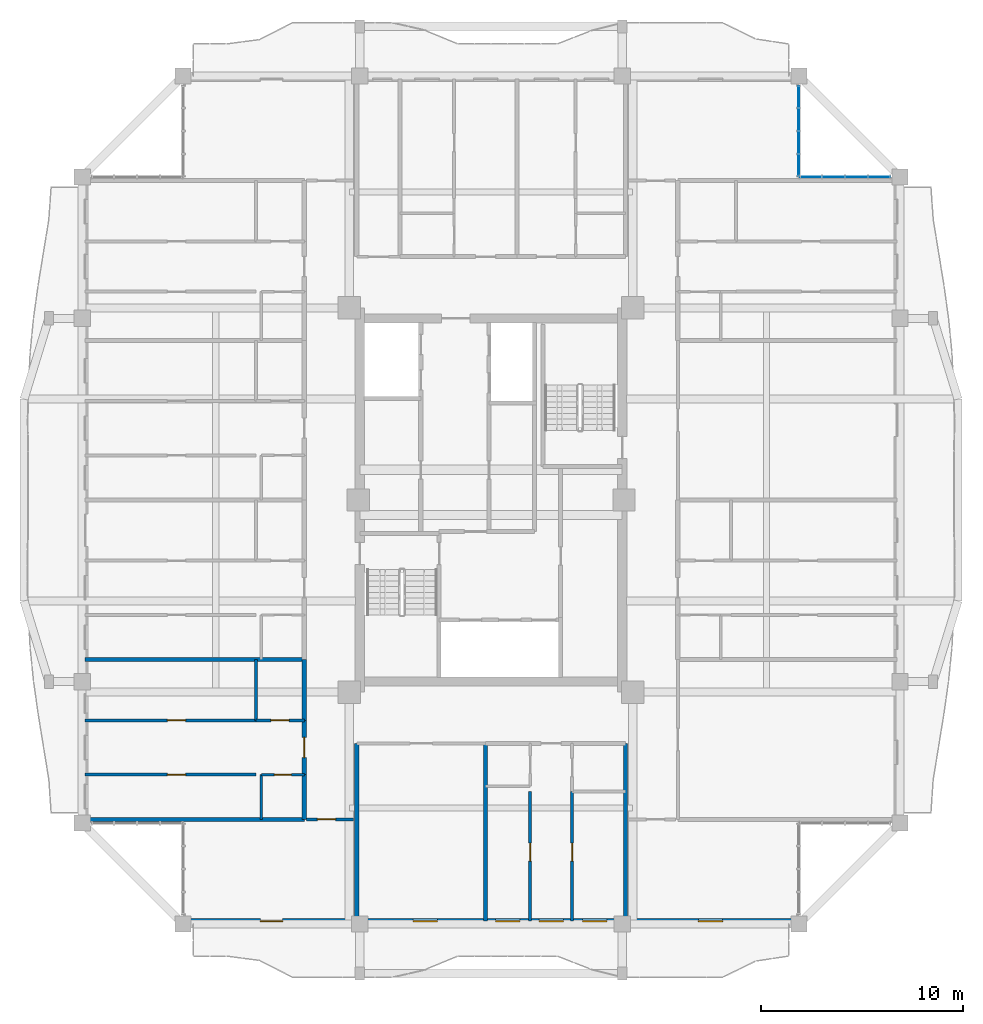
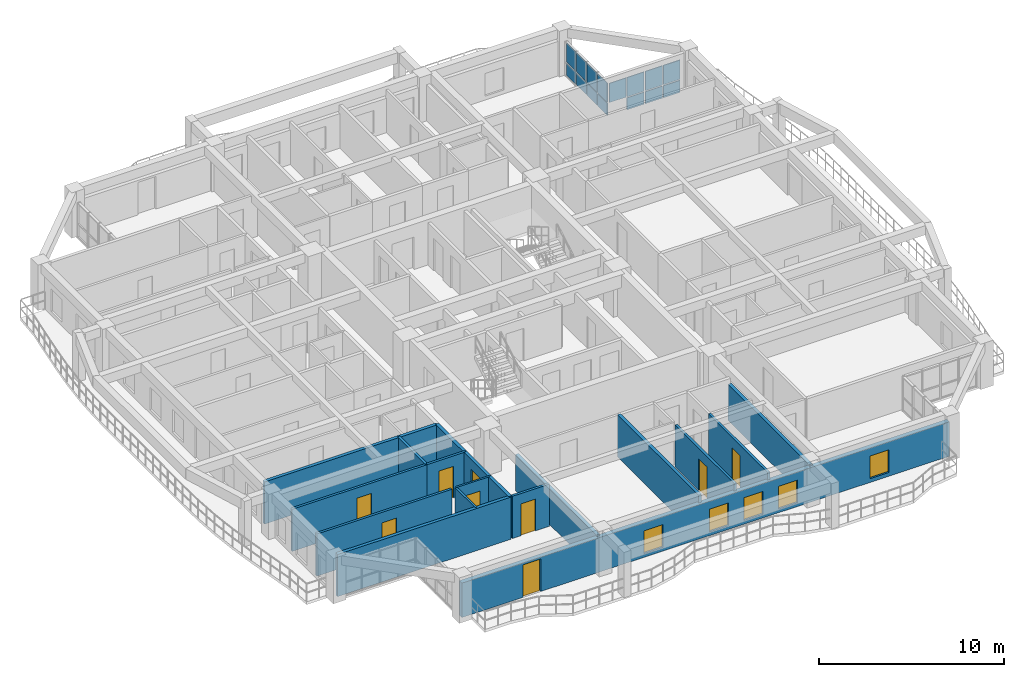
# One storey, part 10 of 21: 18 walls, 15 plates, 9 doors, 5 windows, 14 openings, 2 elements without a shape of their own.
"""IFC4 building model written with IfcOpenShell, lengths in metres."""

from ifc_helpers import new_model, si_unit, direction, frame, frame_2d, origin, origin_2d, place, context, subcontext, project, spatial, rectangle, extrude, source, transform, mapped, material, layer, layer_set, type_object, element, fill, aggregate, save


model = new_model("IFC4")

# Units and contexts
model_context = context("Model", 3, precision=1e-05, world=origin(), true_north=direction((0.0, 1.0)))
body_context = subcontext(model_context, "Body", "Model", "MODEL_VIEW")
ifc_project = project(units=[si_unit("LENGTHUNIT", "METRE"), si_unit("AREAUNIT", "SQUARE_METRE"), si_unit("VOLUMEUNIT", "CUBIC_METRE"), si_unit("PLANEANGLEUNIT", "RADIAN"), si_unit("MASSUNIT", "GRAM", prefix="KILO")], contexts=[model_context])

# Site, building, storey
site_placement = place(None, origin())
site = spatial("IfcSite", under=ifc_project, at=site_placement, CompositionType="ELEMENT")
building_placement = place(site_placement, origin())
building = spatial("IfcBuilding", under=site, at=building_placement, Name="Saelheon Loggia Tower", CompositionType="ELEMENT")
storey_placement = place(building_placement, frame((0.0, 0.0, 186.699951171875)))
storey = spatial("IfcBuildingStorey", under=building, at=storey_placement, Name="L58", CompositionType="ELEMENT", Elevation=186.699951171875)

# Curtain wall, plates
ifc_material_1 = material(Name="High-Wind Aluminium and Triple Laminated Glass", Category="aluminium")
ifc_layer_1 = layer(ifc_material_1, 0.179931640625)
ifc_layer_set_1 = layer_set([ifc_layer_1], Name="High-Wind Aluminium and Triple Laminated Glass")
curtain_wall_type = type_object("IfcCurtainWallType", Name="CW_TowerLoggiaHigh", PredefinedType="NOTDEFINED", material=ifc_layer_set_1)
curtain_wall_1_placement = place(storey_placement, origin())
curtain_wall_1 = element("IfcCurtainWall", 1, at=curtain_wall_1_placement, inside=storey, type_object=curtain_wall_type, Name="L58 Corner Notch Glazing NE1", PredefinedType="NOTDEFINED")
ifc_material_2 = material(Name="Triple Low-E Laminated Glazing", Category="glass")
ifc_layer_2 = layer(ifc_material_2, 0.0439453125)
ifc_layer_set_2 = layer_set([ifc_layer_2], Name="Triple Low-E Laminated Glazing")
plate_type = type_object("IfcPlateType", Name="CW_TowerLoggiaHigh_Panel", PredefinedType="CURTAIN_PANEL", material=ifc_layer_set_2)
shared_shape_1 = source(origin(), body_context, "Body", "SweptSolid", [
    extrude(rectangle(XDim=1.034912109375, YDim=0.0439453125, at=origin_2d()), origin(), (0.0, 0.0, 1.0), 0.794921875),
])
plate_1_placement = place(storey_placement, frame((53.25, 43.58740234375, 0.070068359375), z_axis=(0.0, 0.0, 1.0), x_axis=(0.0, 1.0, 0.0)))
plate_1 = element("IfcPlate", 2, at=plate_1_placement, type_object=plate_type, Name="CW4 panel 1.1", PredefinedType="CURTAIN_PANEL", context=body_context, shape_type="MappedRepresentation", body=[
    mapped(shared_shape_1, transform((0.0, 0.0, 0.0), scale=1.0)),
])
plate_2_placement = place(storey_placement, frame((53.25, 46.972412109375, 0.070068359375), z_axis=(0.0, 0.0, 1.0), x_axis=(0.0, 1.0, 0.0)))
plate_2 = element("IfcPlate", 3, at=plate_2_placement, type_object=plate_type, Name="CW4 panel 4.1", PredefinedType="CURTAIN_PANEL", context=body_context, shape_type="MappedRepresentation", body=[
    mapped(shared_shape_1, transform((0.0, 0.0, 0.0), scale=1.0)),
])

# Curtain wall, plate
curtain_wall_2_placement = place(storey_placement, origin())
curtain_wall_2 = element("IfcCurtainWall", 4, at=curtain_wall_2_placement, inside=storey, type_object=curtain_wall_type, Name="L58 Corner Notch Glazing NE2", PredefinedType="NOTDEFINED")
plate_3_placement = place(storey_placement, frame((57.222412109375, 43.0, 0.070068359375), z_axis=(0.0, 0.0, 1.0), x_axis=(1.0, 0.0, 0.0)))
plate_3 = element("IfcPlate", 5, at=plate_3_placement, type_object=plate_type, Name="CW4 panel 4.1", PredefinedType="CURTAIN_PANEL", context=body_context, shape_type="MappedRepresentation", body=[
    mapped(shared_shape_1, transform((0.0, 0.0, 0.0), scale=1.0)),
])

# Plate
shared_shape_2 = source(origin(), body_context, "Body", "SweptSolid", [
    extrude(rectangle(XDim=1.034912109375, YDim=0.0439453125, at=origin_2d()), origin(), (0.0, 0.0, 1.0), 1.27490234375),
])
plate_4_placement = place(storey_placement, frame((53.25, 43.58740234375, 0.93505859375), z_axis=(0.0, 0.0, 1.0), x_axis=(0.0, 1.0, 0.0)))
plate_4 = element("IfcPlate", 6, at=plate_4_placement, type_object=plate_type, Name="CW4 panel 1.2", PredefinedType="CURTAIN_PANEL", context=body_context, shape_type="MappedRepresentation", body=[
    mapped(shared_shape_2, transform((0.0, 0.0, 0.0), scale=1.0)),
])

plate_5_placement = place(storey_placement, frame((53.25, 46.972412109375, 0.93505859375), z_axis=(0.0, 0.0, 1.0), x_axis=(0.0, 1.0, 0.0)))
plate_5 = element("IfcPlate", 7, at=plate_5_placement, type_object=plate_type, Name="CW4 panel 4.2", PredefinedType="CURTAIN_PANEL", context=body_context, shape_type="MappedRepresentation", body=[
    mapped(shared_shape_2, transform((0.0, 0.0, 0.0), scale=1.0)),
])

plate_6_placement = place(storey_placement, frame((53.83740234375, 43.0, 0.93505859375), z_axis=(0.0, 0.0, 1.0), x_axis=(1.0, 0.0, 0.0)))
plate_6 = element("IfcPlate", 8, at=plate_6_placement, type_object=plate_type, Name="CW4 panel 1.2", PredefinedType="CURTAIN_PANEL", context=body_context, shape_type="MappedRepresentation", body=[
    mapped(shared_shape_2, transform((0.0, 0.0, 0.0), scale=1.0)),
])

plate_7_placement = place(storey_placement, frame((57.222412109375, 43.0, 0.93505859375), z_axis=(0.0, 0.0, 1.0), x_axis=(1.0, 0.0, 0.0)))
plate_7 = element("IfcPlate", 9, at=plate_7_placement, type_object=plate_type, Name="CW4 panel 4.2", PredefinedType="CURTAIN_PANEL", context=body_context, shape_type="MappedRepresentation", body=[
    mapped(shared_shape_2, transform((0.0, 0.0, 0.0), scale=1.0)),
])

shared_shape_3 = source(origin(), body_context, "Body", "SweptSolid", [
    extrude(rectangle(XDim=1.070068359375, YDim=0.0439453125, at=origin_2d()), origin(), (0.0, 0.0, 1.0), 0.794921875),
])
plate_8_placement = place(storey_placement, frame((53.25, 44.7099609375, 0.070068359375), z_axis=(0.0, 0.0, 1.0), x_axis=(0.0, 1.0, 0.0)))
plate_8 = element("IfcPlate", 10, at=plate_8_placement, type_object=plate_type, Name="CW4 panel 2.1", PredefinedType="CURTAIN_PANEL", context=body_context, shape_type="MappedRepresentation", body=[
    mapped(shared_shape_3, transform((0.0, 0.0, 0.0), scale=1.0)),
])

plate_9_placement = place(storey_placement, frame((53.25, 45.85009765625, 0.070068359375), z_axis=(0.0, 0.0, 1.0), x_axis=(0.0, 1.0, 0.0)))
plate_9 = element("IfcPlate", 11, at=plate_9_placement, type_object=plate_type, Name="CW4 panel 3.1", PredefinedType="CURTAIN_PANEL", context=body_context, shape_type="MappedRepresentation", body=[
    mapped(shared_shape_3, transform((0.0, 0.0, 0.0), scale=1.0)),
])

plate_10_placement = place(storey_placement, frame((54.9599609375, 43.0, 0.070068359375), z_axis=(0.0, 0.0, 1.0), x_axis=(1.0, 0.0, 0.0)))
plate_10 = element("IfcPlate", 12, at=plate_10_placement, type_object=plate_type, Name="CW4 panel 2.1", PredefinedType="CURTAIN_PANEL", context=body_context, shape_type="MappedRepresentation", body=[
    mapped(shared_shape_3, transform((0.0, 0.0, 0.0), scale=1.0)),
])

plate_11_placement = place(storey_placement, frame((56.10009765625, 43.0, 0.070068359375), z_axis=(0.0, 0.0, 1.0), x_axis=(1.0, 0.0, 0.0)))
plate_11 = element("IfcPlate", 13, at=plate_11_placement, type_object=plate_type, Name="CW4 panel 3.1", PredefinedType="CURTAIN_PANEL", context=body_context, shape_type="MappedRepresentation", body=[
    mapped(shared_shape_3, transform((0.0, 0.0, 0.0), scale=1.0)),
])

shared_shape_4 = source(origin(), body_context, "Body", "SweptSolid", [
    extrude(rectangle(XDim=1.070068359375, YDim=0.0439453125, at=origin_2d()), origin(), (0.0, 0.0, 1.0), 1.27490234375),
])
plate_12_placement = place(storey_placement, frame((53.25, 44.7099609375, 0.93505859375), z_axis=(0.0, 0.0, 1.0), x_axis=(0.0, 1.0, 0.0)))
plate_12 = element("IfcPlate", 14, at=plate_12_placement, type_object=plate_type, Name="CW4 panel 2.2", PredefinedType="CURTAIN_PANEL", context=body_context, shape_type="MappedRepresentation", body=[
    mapped(shared_shape_4, transform((0.0, 0.0, 0.0), scale=1.0)),
])

plate_13_placement = place(storey_placement, frame((53.25, 45.85009765625, 0.93505859375), z_axis=(0.0, 0.0, 1.0), x_axis=(0.0, 1.0, 0.0)))
plate_13 = element("IfcPlate", 15, at=plate_13_placement, type_object=plate_type, Name="CW4 panel 3.2", PredefinedType="CURTAIN_PANEL", context=body_context, shape_type="MappedRepresentation", body=[
    mapped(shared_shape_4, transform((0.0, 0.0, 0.0), scale=1.0)),
])

aggregate(curtain_wall_1, [plate_1, plate_4, plate_8, plate_12, plate_9, plate_13, plate_2, plate_5])

plate_14_placement = place(storey_placement, frame((54.9599609375, 43.0, 0.93505859375), z_axis=(0.0, 0.0, 1.0), x_axis=(1.0, 0.0, 0.0)))
plate_14 = element("IfcPlate", 16, at=plate_14_placement, type_object=plate_type, Name="CW4 panel 2.2", PredefinedType="CURTAIN_PANEL", context=body_context, shape_type="MappedRepresentation", body=[
    mapped(shared_shape_4, transform((0.0, 0.0, 0.0), scale=1.0)),
])

plate_15_placement = place(storey_placement, frame((56.10009765625, 43.0, 0.93505859375), z_axis=(0.0, 0.0, 1.0), x_axis=(1.0, 0.0, 0.0)))
plate_15 = element("IfcPlate", 17, at=plate_15_placement, type_object=plate_type, Name="CW4 panel 3.2", PredefinedType="CURTAIN_PANEL", context=body_context, shape_type="MappedRepresentation", body=[
    mapped(shared_shape_4, transform((0.0, 0.0, 0.0), scale=1.0)),
])

aggregate(curtain_wall_2, [plate_6, plate_10, plate_14, plate_11, plate_15, plate_3, plate_7])

# Wall, openings, windows, door
ifc_material_3 = material(Name="Architectural Precast Concrete C40/50", Category="concrete")
ifc_layer_3 = layer(ifc_material_3, 0.280029296875)
ifc_layer_set_3 = layer_set([ifc_layer_3], Name="Architectural Precast Concrete C40/50")
wall_type_1 = type_object("IfcWallType", Name="Wall_Ext_Loggia_280", PredefinedType="SOLIDWALL", material=ifc_layer_set_3)
wall_1_placement = place(storey_placement, frame((22.75, 6.139892578125, 0.0), z_axis=(0.0, 0.0, 1.0), x_axis=(1.0, 0.0, 0.0)))
wall_1 = element("IfcWall", 18, at=wall_1_placement, inside=storey, type_object=wall_type_1, Name="L58 South Loggia Inner Wall", PredefinedType="SOLIDWALL", context=body_context, shape_type="SweptSolid", body=[
    extrude(rectangle(XDim=30.5, YDim=0.280029296875, at=frame_2d((15.25, 0.0))), origin(), (0.0, 0.0, 1.0), 2.280029296875),
])
opening_1_placement = place(wall_1_placement, frame((4.925048828125, 0.0, 0.0), z_axis=(0.0, 0.0, 1.0), x_axis=(-1.0, 0.0, 0.0)))
opening_1 = element("IfcOpeningElement", 19, at=opening_1_placement, cuts=wall_1, Name="Opening TD1", PredefinedType="OPENING", context=body_context, shape_type="SweptSolid", body=[
    extrude(rectangle(XDim=1.10009765625, YDim=2.14990234375, at=frame_2d((0.550048828125, 1.074951171875))), frame((0.0, 0.152099609375, 0.0), z_axis=(0.0, -1.0, 0.0), x_axis=(1.0, 0.0, 0.0)), (0.0, 0.0, 1.0), 0.303955078125),
])
opening_2_placement = place(wall_1_placement, frame((11.386962890625, 0.0, 0.25)))
opening_2 = element("IfcOpeningElement", 20, at=opening_2_placement, cuts=wall_1, Name="Opening WN-03", PredefinedType="OPENING", context=body_context, shape_type="SweptSolid", body=[
    extrude(rectangle(XDim=1.199951171875, YDim=1.5, at=frame_2d((0.60009765625, 0.75))), frame((0.0, 0.152099609375, 0.0), z_axis=(0.0, -1.0, 0.0), x_axis=(1.0, 0.0, 0.0)), (0.0, 0.0, 1.0), 0.303955078125),
])
opening_3_placement = place(wall_1_placement, frame((15.48388671875, 0.0, 0.25)))
opening_3 = element("IfcOpeningElement", 21, at=opening_3_placement, cuts=wall_1, Name="Opening WN-03", PredefinedType="OPENING", context=body_context, shape_type="SweptSolid", body=[
    extrude(rectangle(XDim=1.199951171875, YDim=1.5, at=frame_2d((0.60009765625, 0.75))), frame((0.0, 0.152099609375, 0.0), z_axis=(0.0, -1.0, 0.0), x_axis=(1.0, 0.0, 0.0)), (0.0, 0.0, 1.0), 0.303955078125),
])
opening_4_placement = place(wall_1_placement, frame((17.6279296875, 0.0, 0.25)))
opening_4 = element("IfcOpeningElement", 22, at=opening_4_placement, cuts=wall_1, Name="Opening WN-03", PredefinedType="OPENING", context=body_context, shape_type="SweptSolid", body=[
    extrude(rectangle(XDim=1.199951171875, YDim=1.5, at=frame_2d((0.60009765625, 0.75))), frame((0.0, 0.152099609375, 0.0), z_axis=(0.0, -1.0, 0.0), x_axis=(1.0, 0.0, 0.0)), (0.0, 0.0, 1.0), 0.303955078125),
])
opening_5_placement = place(wall_1_placement, frame((19.791015625, 0.0, 0.25)))
opening_5 = element("IfcOpeningElement", 23, at=opening_5_placement, cuts=wall_1, Name="Opening WN-03", PredefinedType="OPENING", context=body_context, shape_type="SweptSolid", body=[
    extrude(rectangle(XDim=1.199951171875, YDim=1.5, at=frame_2d((0.60009765625, 0.75))), frame((0.0, 0.152099609375, 0.0), z_axis=(0.0, -1.0, 0.0), x_axis=(1.0, 0.0, 0.0)), (0.0, 0.0, 1.0), 0.303955078125),
])
opening_6_placement = place(wall_1_placement, frame((25.52490234375, 0.0, 0.25)))
opening_6 = element("IfcOpeningElement", 24, at=opening_6_placement, cuts=wall_1, Name="Opening WN-03", PredefinedType="OPENING", context=body_context, shape_type="SweptSolid", body=[
    extrude(rectangle(XDim=1.199951171875, YDim=1.5, at=frame_2d((0.60009765625, 0.75))), frame((0.0, 0.152099609375, 0.0), z_axis=(0.0, -1.0, 0.0), x_axis=(1.0, 0.0, 0.0)), (0.0, 0.0, 1.0), 0.303955078125),
])
ifc_material_4 = material(Name="Thermal-Break Aluminium and Triple Low-E Glass", Category="aluminium")
window_type = type_object("IfcWindowType", Name="Win_Bedroom_1200x1500", PartitioningType="SINGLE_PANEL", PredefinedType="WINDOW", material=ifc_material_4)
shared_shape_5 = source(origin(), body_context, "Body", "SweptSolid", [
    extrude(rectangle(XDim=1.199951171875, YDim=1.5, at=frame_2d((0.60009765625, 0.75))), frame((0.0, 0.030029296875, 0.0), z_axis=(0.0, -1.0, 0.0), x_axis=(1.0, 0.0, 0.0)), (0.0, 0.0, 1.0), 0.06005859375),
])
window_1_placement = place(opening_2_placement, origin())
window_1 = element("IfcWindow", 25, at=window_1_placement, inside=storey, type_object=window_type, Name="L58 S Dwelling Window 2", OverallHeight=1.5, OverallWidth=1.199951171875, PartitioningType="SINGLE_PANEL", PredefinedType="WINDOW", context=body_context, shape_type="MappedRepresentation", body=[
    mapped(shared_shape_5, transform((0.0, 0.0, 0.0), scale=1.0)),
])
fill(opening_2, window_1)
window_2_placement = place(opening_3_placement, origin())
window_2 = element("IfcWindow", 26, at=window_2_placement, inside=storey, type_object=window_type, Name="L58 S Dwelling Window 3", OverallHeight=1.5, OverallWidth=1.199951171875, PartitioningType="SINGLE_PANEL", PredefinedType="WINDOW", context=body_context, shape_type="MappedRepresentation", body=[
    mapped(shared_shape_5, transform((0.0, 0.0, 0.0), scale=1.0)),
])
fill(opening_3, window_2)
window_3_placement = place(opening_4_placement, origin())
window_3 = element("IfcWindow", 27, at=window_3_placement, inside=storey, type_object=window_type, Name="L58 S Dwelling Window 4", OverallHeight=1.5, OverallWidth=1.199951171875, PartitioningType="SINGLE_PANEL", PredefinedType="WINDOW", context=body_context, shape_type="MappedRepresentation", body=[
    mapped(shared_shape_5, transform((0.0, 0.0, 0.0), scale=1.0)),
])
fill(opening_4, window_3)
window_4_placement = place(opening_5_placement, origin())
window_4 = element("IfcWindow", 28, at=window_4_placement, inside=storey, type_object=window_type, Name="L58 S Dwelling Window 5", OverallHeight=1.5, OverallWidth=1.199951171875, PartitioningType="SINGLE_PANEL", PredefinedType="WINDOW", context=body_context, shape_type="MappedRepresentation", body=[
    mapped(shared_shape_5, transform((0.0, 0.0, 0.0), scale=1.0)),
])
fill(opening_5, window_4)
window_5_placement = place(opening_6_placement, origin())
window_5 = element("IfcWindow", 29, at=window_5_placement, inside=storey, type_object=window_type, Name="L58 S Dwelling Window 6", OverallHeight=1.5, OverallWidth=1.199951171875, PartitioningType="SINGLE_PANEL", PredefinedType="WINDOW", context=body_context, shape_type="MappedRepresentation", body=[
    mapped(shared_shape_5, transform((0.0, 0.0, 0.0), scale=1.0)),
])
fill(opening_6, window_5)
ifc_material_5 = material(Name="Thermal-Break Aluminium Glazed Door", Category="aluminium")
door_type_1 = type_object("IfcDoorType", Name="Door_Terrace_TD1", OperationType="NOTDEFINED", PredefinedType="DOOR", material=ifc_material_5)
shared_shape_6 = source(origin(), body_context, "Body", "SweptSolid", [
    extrude(rectangle(XDim=1.10009765625, YDim=2.14990234375, at=frame_2d((0.550048828125, 1.074951171875))), frame((0.0, 0.02490234375, 0.0), z_axis=(0.0, -1.0, 0.0), x_axis=(1.0, 0.0, 0.0)), (0.0, 0.0, 1.0), 0.050048828125),
])
door_1_placement = place(opening_1_placement, origin())
door_1 = element("IfcDoor", 30, at=door_1_placement, inside=storey, type_object=door_type_1, Name="L58 S Loggia Access Door", OperationType="SINGLE_SWING_LEFT", OverallHeight=2.14990234375, OverallWidth=1.10009765625, PredefinedType="DOOR", context=body_context, shape_type="MappedRepresentation", body=[
    mapped(shared_shape_6, transform((0.0, 0.0, 0.0), scale=1.0)),
])
fill(opening_1, door_1)

# Wall, opening, door
ifc_material_6 = material(Name="Lightweight Autoclaved Aerated Concrete Block and Acoustic Gypsum", Category="concrete")
ifc_layer_4 = layer(ifc_material_6, 0.14990234375)
ifc_layer_set_4 = layer_set([ifc_layer_4], Name="Lightweight Autoclaved Aerated Concrete Block and Acoustic Gypsum")
wall_type_2 = type_object("IfcWallType", Name="Wall_Part_150", PredefinedType="PARTITIONING", material=ifc_layer_set_4)
wall_2_placement = place(storey_placement, frame((28.85009765625, 11.179931640625, 0.0), z_axis=(0.0, 0.0, 1.0), x_axis=(1.0, 0.0, 0.0)))
wall_2 = element("IfcWall", 31, at=wall_2_placement, inside=storey, type_object=wall_type_2, Name="PW-L58-CSW-H", PredefinedType="PARTITIONING", context=body_context, shape_type="SweptSolid", body=[
    extrude(rectangle(XDim=2.329833984375, YDim=0.14990234375, at=frame_2d((1.1650390625, 0.0))), origin(), (0.0, 0.0, 1.0), 2.7900390625),
])
opening_7_placement = place(wall_2_placement, frame((0.550048828125, 0.0, 0.0)))
opening_7 = element("IfcOpeningElement", 32, at=opening_7_placement, cuts=wall_2, Name="Opening D-IN2", PredefinedType="OPENING", context=body_context, shape_type="SweptSolid", body=[
    extrude(rectangle(XDim=0.89990234375, YDim=2.10009765625, at=frame_2d((0.449951171875, 1.050048828125))), frame((0.0, 0.0869140625, 0.0), z_axis=(0.0, -1.0, 0.0), x_axis=(1.0, 0.0, 0.0)), (0.0, 0.0, 1.0), 0.173828125),
])
ifc_material_7 = material(Name="Engineered Oak Flush Door", Category="timber")
door_type_2 = type_object("IfcDoorType", Name="Door_Int_900", OperationType="NOTDEFINED", PredefinedType="DOOR", material=ifc_material_7)
shared_shape_7 = source(origin(), body_context, "Body", "SweptSolid", [
    extrude(rectangle(XDim=0.89990234375, YDim=2.10009765625, at=frame_2d((0.449951171875, 1.050048828125))), frame((0.0, 0.02490234375, 0.0), z_axis=(0.0, -1.0, 0.0), x_axis=(1.0, 0.0, 0.0)), (0.0, 0.0, 1.0), 0.050048828125),
])
door_2_placement = place(opening_7_placement, origin())
door_2 = element("IfcDoor", 33, at=door_2_placement, inside=storey, type_object=door_type_2, Name="L58 Corner Home Office SW Door", OperationType="SINGLE_SWING_LEFT", OverallHeight=2.10009765625, OverallWidth=0.89990234375, PredefinedType="DOOR", context=body_context, shape_type="MappedRepresentation", body=[
    mapped(shared_shape_7, transform((0.0, 0.0, 0.0), scale=1.0)),
])
fill(opening_7, door_2)

wall_3_placement = place(storey_placement, frame((39.93408203125, 12.550048828125, 0.0), z_axis=(0.0, 0.0, 1.0), x_axis=(0.0, -1.0, 0.0)))
wall_3 = element("IfcWall", 34, at=wall_3_placement, inside=storey, type_object=wall_type_2, Name="L58 S Partition U11", PredefinedType="PARTITIONING", context=body_context, shape_type="SweptSolid", body=[
    extrude(rectangle(XDim=6.400146484375, YDim=0.14990234375, at=frame_2d((3.2001953125, 0.0))), origin(), (0.0, 0.0, 1.0), 2.7900390625),
])
opening_8_placement = place(wall_3_placement, frame((2.540771484375, 0.0, 0.0)))
opening_8 = element("IfcOpeningElement", 35, at=opening_8_placement, cuts=wall_3, Name="Opening D-IN2", PredefinedType="OPENING", context=body_context, shape_type="SweptSolid", body=[
    extrude(rectangle(XDim=0.89990234375, YDim=2.10009765625, at=frame_2d((0.449951171875, 1.050048828125))), frame((0.0, 0.0869140625, 0.0), z_axis=(0.0, -1.0, 0.0), x_axis=(1.0, 0.0, 0.0)), (0.0, 0.0, 1.0), 0.173828125),
])
door_3_placement = place(opening_8_placement, origin())
door_3 = element("IfcDoor", 36, at=door_3_placement, inside=storey, type_object=door_type_2, Name="Unit U01 Kitchen Door", OperationType="SINGLE_SWING_RIGHT", OverallHeight=2.10009765625, OverallWidth=0.89990234375, PredefinedType="DOOR", context=body_context, shape_type="MappedRepresentation", body=[
    mapped(shared_shape_7, transform((0.0, 0.0, 0.0), scale=1.0)),
])
fill(opening_8, door_3)

wall_4_placement = place(storey_placement, frame((42.02197265625, 12.550048828125, 0.0), z_axis=(0.0, 0.0, 1.0), x_axis=(0.0, -1.0, 0.0)))
wall_4 = element("IfcWall", 37, at=wall_4_placement, inside=storey, type_object=wall_type_2, Name="L58 S Partition U13", PredefinedType="PARTITIONING", context=body_context, shape_type="SweptSolid", body=[
    extrude(rectangle(XDim=6.400146484375, YDim=0.14990234375, at=frame_2d((3.2001953125, 0.0))), origin(), (0.0, 0.0, 1.0), 2.7900390625),
])
opening_9_placement = place(wall_4_placement, frame((2.540771484375, 0.0, 0.0)))
opening_9 = element("IfcOpeningElement", 38, at=opening_9_placement, cuts=wall_4, Name="Opening D-IN2", PredefinedType="OPENING", context=body_context, shape_type="SweptSolid", body=[
    extrude(rectangle(XDim=0.89990234375, YDim=2.10009765625, at=frame_2d((0.449951171875, 1.050048828125))), frame((0.0, 0.0869140625, 0.0), z_axis=(0.0, -1.0, 0.0), x_axis=(1.0, 0.0, 0.0)), (0.0, 0.0, 1.0), 0.173828125),
])
door_4_placement = place(opening_9_placement, origin())
door_4 = element("IfcDoor", 39, at=door_4_placement, inside=storey, type_object=door_type_2, Name="Unit U01 Bedroom 1 Door", OperationType="SINGLE_SWING_RIGHT", OverallHeight=2.10009765625, OverallWidth=0.89990234375, PredefinedType="DOOR", context=body_context, shape_type="MappedRepresentation", body=[
    mapped(shared_shape_7, transform((0.0, 0.0, 0.0), scale=1.0)),
])
fill(opening_9, door_4)

# Wall
wall_5_placement = place(storey_placement, frame((26.35009765625, 16.084228515625, 0.0), z_axis=(0.0, 0.0, 1.0), x_axis=(0.0, 1.0, 0.0)))
element("IfcWall", 40, at=wall_5_placement, inside=storey, type_object=wall_type_2, Name="L58 W Partition V07", PredefinedType="PARTITIONING", context=body_context, shape_type="SweptSolid", body=[
    extrude(rectangle(XDim=3.005859375, YDim=0.14990234375, at=frame_2d((1.5029296875, 0.0))), origin(), (0.0, 0.0, 1.0), 2.7900390625),
])

# Wall, opening, door
wall_6_placement = place(storey_placement, frame((26.35009765625, 13.394775390625, 0.0), z_axis=(0.0, 0.0, 1.0), x_axis=(-1.0, 0.0, 0.0)))
wall_6 = element("IfcWall", 41, at=wall_6_placement, inside=storey, type_object=wall_type_2, Name="L58 W Partition U09", PredefinedType="PARTITIONING", context=body_context, shape_type="SweptSolid", body=[
    extrude(rectangle(XDim=8.4501953125, YDim=0.14990234375, at=frame_2d((4.22509765625, 0.0))), origin(), (0.0, 0.0, 1.0), 2.7900390625),
])
opening_10_placement = place(wall_6_placement, frame((3.48046875, 0.0, 0.0)))
opening_10 = element("IfcOpeningElement", 42, at=opening_10_placement, cuts=wall_6, Name="Opening D-IN2", PredefinedType="OPENING", context=body_context, shape_type="SweptSolid", body=[
    extrude(rectangle(XDim=0.89990234375, YDim=2.10009765625, at=frame_2d((0.449951171875, 1.050048828125))), frame((0.0, 0.0869140625, 0.0), z_axis=(0.0, -1.0, 0.0), x_axis=(1.0, 0.0, 0.0)), (0.0, 0.0, 1.0), 0.173828125),
])
door_5_placement = place(opening_10_placement, origin())
door_5 = element("IfcDoor", 43, at=door_5_placement, inside=storey, type_object=door_type_2, Name="Unit U04 Kitchen Door", OperationType="SINGLE_SWING_RIGHT", OverallHeight=2.10009765625, OverallWidth=0.89990234375, PredefinedType="DOOR", context=body_context, shape_type="MappedRepresentation", body=[
    mapped(shared_shape_7, transform((0.0, 0.0, 0.0), scale=1.0)),
])
fill(opening_10, door_5)

wall_7_placement = place(storey_placement, frame((28.75, 16.084228515625, 0.0), z_axis=(0.0, 0.0, 1.0), x_axis=(-1.0, 0.0, 0.0)))
wall_7 = element("IfcWall", 44, at=wall_7_placement, inside=storey, type_object=wall_type_2, Name="L58 W Partition U10", PredefinedType="PARTITIONING", context=body_context, shape_type="SweptSolid", body=[
    extrude(rectangle(XDim=2.39990234375, YDim=0.14990234375, at=frame_2d((1.199951171875, 0.0))), origin(), (0.0, 0.0, 1.0), 2.7900390625),
])
opening_11_placement = place(wall_7_placement, frame((0.75, 0.0, 0.0)))
opening_11 = element("IfcOpeningElement", 45, at=opening_11_placement, cuts=wall_7, Name="Opening D-IN2", PredefinedType="OPENING", context=body_context, shape_type="SweptSolid", body=[
    extrude(rectangle(XDim=0.89990234375, YDim=2.10009765625, at=frame_2d((0.449951171875, 1.050048828125))), frame((0.0, 0.0869140625, 0.0), z_axis=(0.0, -1.0, 0.0), x_axis=(1.0, 0.0, 0.0)), (0.0, 0.0, 1.0), 0.173828125),
])
door_6_placement = place(opening_11_placement, origin())
door_6 = element("IfcDoor", 46, at=door_6_placement, inside=storey, type_object=door_type_2, Name="Unit U04 Dressing Closet Door", OperationType="SINGLE_SWING_LEFT", OverallHeight=2.10009765625, OverallWidth=0.89990234375, PredefinedType="DOOR", context=body_context, shape_type="MappedRepresentation", body=[
    mapped(shared_shape_7, transform((0.0, 0.0, 0.0), scale=1.0)),
])
fill(opening_11, door_6)

wall_8_placement = place(storey_placement, frame((26.35009765625, 16.084228515625, 0.0), z_axis=(0.0, 0.0, 1.0), x_axis=(-1.0, 0.0, 0.0)))
wall_8 = element("IfcWall", 47, at=wall_8_placement, inside=storey, type_object=wall_type_2, Name="L58 W Partition U11", PredefinedType="PARTITIONING", context=body_context, shape_type="SweptSolid", body=[
    extrude(rectangle(XDim=8.4501953125, YDim=0.14990234375, at=frame_2d((4.22509765625, 0.0))), origin(), (0.0, 0.0, 1.0), 2.7900390625),
])
opening_12_placement = place(wall_8_placement, frame((3.48046875, 0.0, 0.0)))
opening_12 = element("IfcOpeningElement", 48, at=opening_12_placement, cuts=wall_8, Name="Opening D-IN2", PredefinedType="OPENING", context=body_context, shape_type="SweptSolid", body=[
    extrude(rectangle(XDim=0.89990234375, YDim=2.10009765625, at=frame_2d((0.449951171875, 1.050048828125))), frame((0.0, 0.0869140625, 0.0), z_axis=(0.0, -1.0, 0.0), x_axis=(1.0, 0.0, 0.0)), (0.0, 0.0, 1.0), 0.173828125),
])
door_7_placement = place(opening_12_placement, origin())
door_7 = element("IfcDoor", 49, at=door_7_placement, inside=storey, type_object=door_type_2, Name="Unit U04 Bedroom 1 Door", OperationType="SINGLE_SWING_RIGHT", OverallHeight=2.10009765625, OverallWidth=0.89990234375, PredefinedType="DOOR", context=body_context, shape_type="MappedRepresentation", body=[
    mapped(shared_shape_7, transform((0.0, 0.0, 0.0), scale=1.0)),
])
fill(opening_12, door_7)

# Walls
ifc_material_8 = material(Name="Double Acoustic Stud and Fireboard Partition", Category="gypsum")
ifc_layer_5 = layer(ifc_material_8, 0.199951171875)
ifc_layer_set_5 = layer_set([ifc_layer_5], Name="Double Acoustic Stud and Fireboard Partition")
wall_type_3 = type_object("IfcWallType", Name="Wall_Party_200", PredefinedType="PARTITIONING", material=ifc_layer_set_5)
for number, where, z_axis, x_axis, name in (
    (50, (31.35009765625, 14.949951171875, 0.0), (0.0, 0.0, 1.0), (0.0, -1.0, 0.0), "L58 S Partition U01"),
    (51, (44.64990234375, 14.949951171875, 0.0), (0.0, 0.0, 1.0), (0.0, -1.0, 0.0), "L58 S Partition U02"),
):
    element("IfcWall", number, at=place(storey_placement, frame(where, z_axis=z_axis, x_axis=x_axis)), inside=storey, type_object=wall_type_3, Name=name, PredefinedType="PARTITIONING", context=body_context, shape_type="SweptSolid", body=[
        extrude(rectangle(XDim=8.800048828125, YDim=0.199951171875, at=frame_2d((4.39990234375, 0.0))), origin(), (0.0, 0.0, 1.0), 2.39013671875),
    ])
wall_9_placement = place(storey_placement, frame((37.73388671875, 14.949951171875, 0.0), z_axis=(0.0, 0.0, 1.0), x_axis=(0.0, -1.0, 0.0)))
element("IfcWall", 52, at=wall_9_placement, inside=storey, type_object=wall_type_3, Name="L58 S Partition U04", PredefinedType="PARTITIONING", context=body_context, shape_type="SweptSolid", body=[
    extrude(rectangle(XDim=8.800048828125, YDim=0.199951171875, at=frame_2d((4.39990234375, 0.0))), origin(), (0.0, 0.0, 1.0), 2.7900390625),
])
wall_10_placement = place(storey_placement, frame((28.75, 11.179931640625, 0.0), z_axis=(0.0, 0.0, 1.0), x_axis=(-1.0, 0.0, 0.0)))
element("IfcWall", 53, at=wall_10_placement, inside=storey, type_object=wall_type_3, Name="L58 W Partition U01", PredefinedType="PARTITIONING", context=body_context, shape_type="SweptSolid", body=[
    extrude(rectangle(XDim=10.85009765625, YDim=0.199951171875, at=frame_2d((5.425048828125, 0.0))), origin(), (0.0, 0.0, 1.0), 2.7900390625),
])
wall_11_placement = place(storey_placement, frame((28.75, 11.179931640625, 0.0), z_axis=(0.0, 0.0, 1.0), x_axis=(0.0, 1.0, 0.0)))
element("IfcWall", 54, at=wall_11_placement, inside=storey, type_object=wall_type_3, Name="L58 W Partition V03", PredefinedType="PARTITIONING", context=body_context, shape_type="SweptSolid", body=[
    extrude(rectangle(XDim=2.21484375, YDim=0.199951171875, at=frame_2d((1.107421875, 0.0))), origin(), (0.0, 0.0, 1.0), 2.7900390625),
])

# Wall, opening, door
wall_12_placement = place(storey_placement, frame((28.75, 13.394775390625, 0.0), z_axis=(0.0, 0.0, 1.0), x_axis=(0.0, 1.0, 0.0)))
wall_12 = element("IfcWall", 55, at=wall_12_placement, inside=storey, type_object=wall_type_3, Name="L58 W Partition V04", PredefinedType="PARTITIONING", context=body_context, shape_type="SweptSolid", body=[
    extrude(rectangle(XDim=2.689453125, YDim=0.199951171875, at=frame_2d((1.3447265625, 0.0))), origin(), (0.0, 0.0, 1.0), 2.7900390625),
])
opening_13_placement = place(wall_12_placement, frame((0.8447265625, 0.0, 0.0)))
opening_13 = element("IfcOpeningElement", 56, at=opening_13_placement, cuts=wall_12, Name="Opening D-FD1", PredefinedType="OPENING", context=body_context, shape_type="SweptSolid", body=[
    extrude(rectangle(XDim=1.0, YDim=2.14990234375, at=frame_2d((0.5, 1.074951171875))), frame((0.0, 0.112060546875, 0.0), z_axis=(0.0, -1.0, 0.0), x_axis=(1.0, 0.0, 0.0)), (0.0, 0.0, 1.0), 0.223876953125),
])
ifc_material_9 = material(Name="Fire-Rated Engineered Timber Entrance Door", Category="wood")
door_type_3 = type_object("IfcDoorType", Name="Door_Flat_FD30S", OperationType="NOTDEFINED", PredefinedType="DOOR", material=ifc_material_9)
shared_shape_8 = source(origin(), body_context, "Body", "SweptSolid", [
    extrude(rectangle(XDim=1.0, YDim=2.14990234375, at=frame_2d((0.5, 1.074951171875))), frame((0.0, 0.02490234375, 0.0), z_axis=(0.0, -1.0, 0.0), x_axis=(1.0, 0.0, 0.0)), (0.0, 0.0, 1.0), 0.050048828125),
])
door_8_placement = place(opening_13_placement, origin())
door_8 = element("IfcDoor", 57, at=door_8_placement, inside=storey, type_object=door_type_3, Name="Unit U04 Entrance Door", OperationType="SINGLE_SWING_RIGHT", OverallHeight=2.14990234375, OverallWidth=1.0, PredefinedType="DOOR", context=body_context, shape_type="MappedRepresentation", body=[
    mapped(shared_shape_8, transform((0.0, 0.0, 0.0), scale=1.0)),
])
fill(opening_13, door_8)

# Walls
wall_13_placement = place(storey_placement, frame((28.75, 16.084228515625, 0.0), z_axis=(0.0, 0.0, 1.0), x_axis=(0.0, 1.0, 0.0)))
element("IfcWall", 58, at=wall_13_placement, inside=storey, type_object=wall_type_3, Name="L58 W Partition V05", PredefinedType="PARTITIONING", context=body_context, shape_type="SweptSolid", body=[
    extrude(rectangle(XDim=3.005859375, YDim=0.199951171875, at=frame_2d((1.5029296875, 0.0))), origin(), (0.0, 0.0, 1.0), 2.7900390625),
])
wall_14_placement = place(storey_placement, frame((28.75, 19.090087890625, 0.0), z_axis=(0.0, 0.0, 1.0), x_axis=(-1.0, 0.0, 0.0)))
element("IfcWall", 59, at=wall_14_placement, inside=storey, type_object=wall_type_3, Name="L58 W Partition U12", PredefinedType="PARTITIONING", context=body_context, shape_type="SweptSolid", body=[
    extrude(rectangle(XDim=10.85009765625, YDim=0.199951171875, at=frame_2d((5.425048828125, 0.0))), origin(), (0.0, 0.0, 1.0), 2.7900390625),
])
ifc_material_10 = material(Name="Moisture-Resistant Cement Board Partition", Category="gypsum")
ifc_layer_6 = layer(ifc_material_10, 0.1201171875)
ifc_layer_set_6 = layer_set([ifc_layer_6], Name="Moisture-Resistant Cement Board Partition")
wall_type_4 = type_object("IfcWallType", Name="Wall_WetPart_120", PredefinedType="PARTITIONING", material=ifc_layer_set_6)
wall_15_placement = place(storey_placement, frame((26.6298828125, 11.179931640625, 0.0), z_axis=(0.0, 0.0, 1.0), x_axis=(0.0, 1.0, 0.0)))
element("IfcWall", 60, at=wall_15_placement, inside=storey, type_object=wall_type_4, Name="L58 W Partition V06", PredefinedType="PARTITIONING", context=body_context, shape_type="SweptSolid", body=[
    extrude(rectangle(XDim=2.21484375, YDim=0.1201171875, at=frame_2d((1.107421875, 0.0))), origin(), (0.0, 0.0, 1.0), 2.7900390625),
])

# Wall, opening, door
wall_16_placement = place(storey_placement, frame((28.75, 13.394775390625, 0.0), z_axis=(0.0, 0.0, 1.0), x_axis=(-1.0, 0.0, 0.0)))
wall_16 = element("IfcWall", 61, at=wall_16_placement, inside=storey, type_object=wall_type_4, Name="L58 W Partition U08", PredefinedType="PARTITIONING", context=body_context, shape_type="SweptSolid", body=[
    extrude(rectangle(XDim=2.1201171875, YDim=0.1201171875, at=frame_2d((1.06005859375, 0.0))), origin(), (0.0, 0.0, 1.0), 2.7900390625),
])
opening_14_placement = place(wall_16_placement, frame((0.635009765625, 0.0, 0.0)))
opening_14 = element("IfcOpeningElement", 62, at=opening_14_placement, cuts=wall_16, Name="Opening D-BT1", PredefinedType="OPENING", context=body_context, shape_type="SweptSolid", body=[
    extrude(rectangle(XDim=0.85009765625, YDim=2.050048828125, at=frame_2d((0.425048828125, 1.02490234375))), frame((0.0, 0.072021484375, 0.0), z_axis=(0.0, -1.0, 0.0), x_axis=(1.0, 0.0, 0.0)), (0.0, 0.0, 1.0), 0.14404296875),
])
ifc_material_11 = material(Name="Moisture-Resistant Laminate Timber Door", Category="wood")
door_type_4 = type_object("IfcDoorType", Name="Door_Bath_850", OperationType="NOTDEFINED", PredefinedType="DOOR", material=ifc_material_11)
shared_shape_9 = source(origin(), body_context, "Body", "SweptSolid", [
    extrude(rectangle(XDim=0.85009765625, YDim=2.050048828125, at=frame_2d((0.425048828125, 1.02490234375))), frame((0.0, 0.02490234375, 0.0), z_axis=(0.0, -1.0, 0.0), x_axis=(1.0, 0.0, 0.0)), (0.0, 0.0, 1.0), 0.050048828125),
])
door_9_placement = place(opening_14_placement, origin())
door_9 = element("IfcDoor", 63, at=door_9_placement, inside=storey, type_object=door_type_4, Name="Unit U04 Bathroom Door", OperationType="SINGLE_SWING_LEFT", OverallHeight=2.050048828125, OverallWidth=0.85009765625, PredefinedType="DOOR", context=body_context, shape_type="MappedRepresentation", body=[
    mapped(shared_shape_9, transform((0.0, 0.0, 0.0), scale=1.0)),
])
fill(opening_14, door_9)

save(model, "model.ifc")
